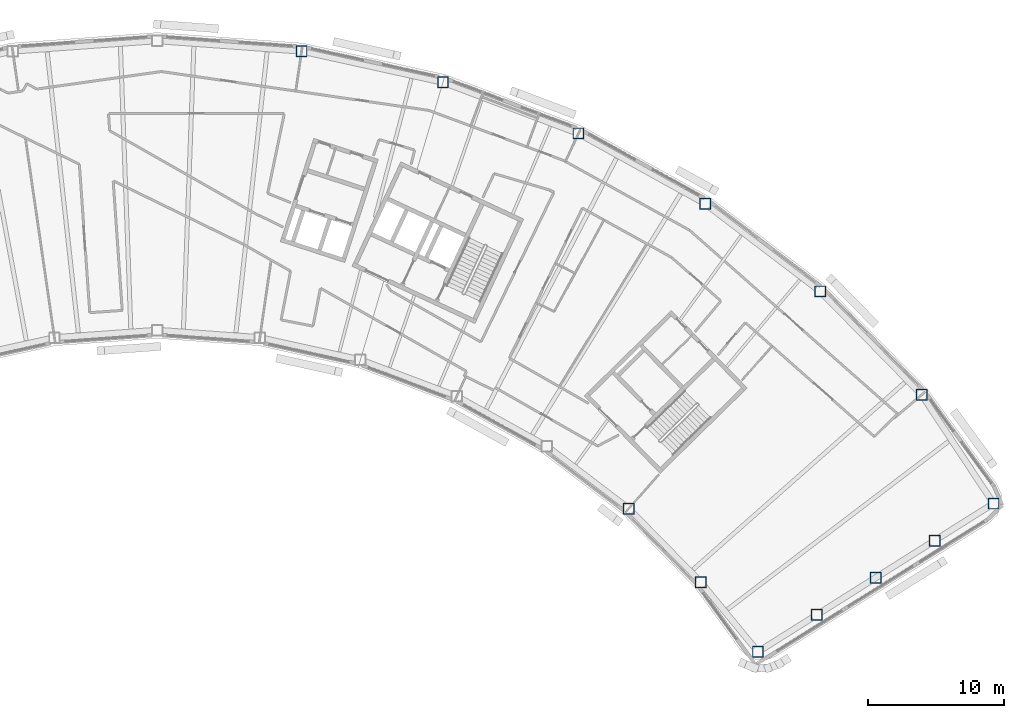
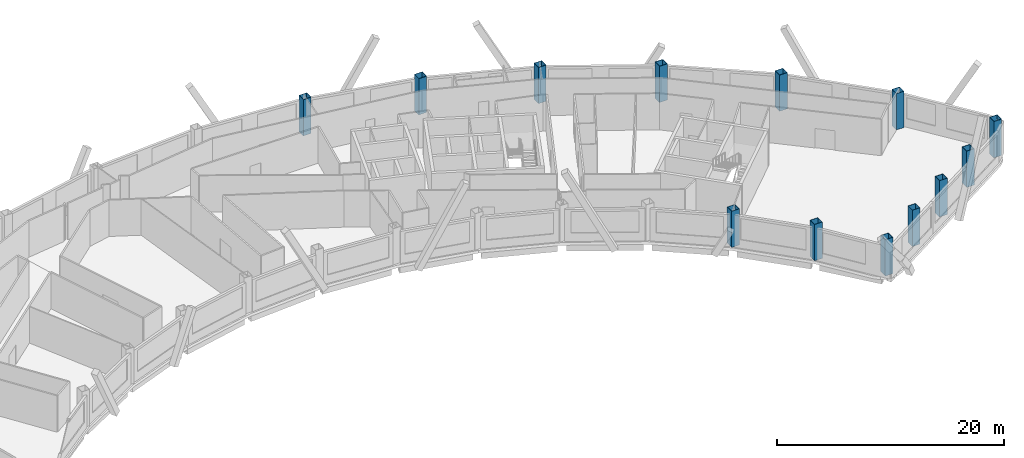
# One storey, part 2 of 14: 13 columns.
"""IFC4 building model written with IfcOpenShell, lengths in metres."""

from ifc_helpers import new_model, si_unit, direction, frame, origin, origin_2d, place, context, subcontext, project, spatial, hollow_rectangle, extrude, material, material_profile, profile_set, type_object, element, save


model = new_model("IFC4")

# Units and contexts
model_context = context("Model", 3, precision=1e-05, world=origin(), true_north=direction((0.0, 1.0)))
body_context = subcontext(model_context, "Body", "Model", "MODEL_VIEW")
ifc_project = project(units=[si_unit("LENGTHUNIT", "METRE"), si_unit("AREAUNIT", "SQUARE_METRE"), si_unit("VOLUMEUNIT", "CUBIC_METRE"), si_unit("PLANEANGLEUNIT", "RADIAN"), si_unit("MASSUNIT", "GRAM", prefix="KILO")], contexts=[model_context])

# Site, building, storey
site_placement = place(None, origin())
site = spatial("IfcSite", under=ifc_project, at=site_placement, CompositionType="ELEMENT")
building_placement = place(site_placement, origin())
building = spatial("IfcBuilding", under=site, at=building_placement, Name="Tuul Gate Civic Tower", CompositionType="ELEMENT")
storey_placement = place(building_placement, frame((0.0, 0.0, 265.199951171875)))
storey = spatial("IfcBuildingStorey", under=building, at=storey_placement, Name="Level 60", CompositionType="ELEMENT", Elevation=265.199951171875)

# Columns
ifc_material = material(Name="Steel S355", Category="steel")
ifc_material_profile = material_profile(ifc_material, hollow_rectangle(XDim=0.800048828125, YDim=0.800048828125, WallThickness=0.031982421875, at=origin_2d()), Name="BOX800x800x32")
ifc_profile_set = profile_set([ifc_material_profile], Name="Steel S355")
column_type = type_object("IfcColumnType", Name="STR-COLUMN-BOX800x800x32", PredefinedType="COLUMN", material=ifc_profile_set)
for number, where, z_axis, x_axis, name in (
    (1, (72.701904296875, -20.654052734375, 0.0), (0.0, 0.0, 1.0), (1.0, 0.0, 0.0), "Column"),
    (2, (67.403076171875, -12.64208984375, 0.0), (0.0, 0.0, 1.0), (1.0, 0.0, 0.0), "Column"),
    (3, (59.927978515625, -5.01708984375, 0.0), (0.0, 0.0, 1.0), (1.0, 0.0, 0.0), "Column"),
    (4, (51.43310546875, 1.451904296875, 0.0), (0.0, 0.0, 1.0), (1.0, 0.0, 0.0), "Column"),
    (5, (42.094970703125, 6.6279296875, 0.0), (0.0, 0.0, 1.0), (1.0, 0.0, 0.0), "Column"),
    (6, (32.10791015625, 10.405029296875, 0.0), (0.0, 0.0, 1.0), (1.0, 0.0, 0.0), "Column"),
    (7, (21.679931640625, 12.702880859375, 0.0), (0.0, 0.0, 1.0), (1.0, 0.0, 0.0), "Column"),
    (8, (45.798095703125, -21.029052734375, 0.0), (0.0, 0.0, 1.0), (1.0, 0.0, 0.0), "Column"),
    (9, (51.112060546875, -26.449951171875, 0.0), (0.0, 0.0, 1.0), (1.0, 0.0, 0.0), "Column"),
    (10, (55.33203125, -31.592041015625, 0.0), (0.0, 0.0, 1.0), (1.0, 0.0, 0.0), "Column"),
    (11, (59.674072265625, -28.85791015625, 0.0), (0.0, 0.0, 1.0), (1.0, 0.0, 0.0), "Column"),
    (12, (64.01708984375, -26.123046875, 0.0), (0.0, 0.0, 1.0), (1.0, 0.0, 0.0), "Column"),
    (13, (68.35888671875, -23.388916015625, 0.0), (0.0, 0.0, 1.0), (1.0, 0.0, 0.0), "Column"),
):
    element("IfcColumn", number, at=place(storey_placement, frame(where, z_axis=z_axis, x_axis=x_axis)), inside=storey, type_object=column_type, Name=name, PredefinedType="COLUMN", context=body_context, shape_type="SweptSolid", body=[
        extrude(hollow_rectangle(XDim=0.800048828125, YDim=0.800048828125, WallThickness=0.031982421875, at=origin_2d()), origin(), (0.0, 0.0, 1.0), 3.900146484375),
    ])

save(model, "model.ifc")
